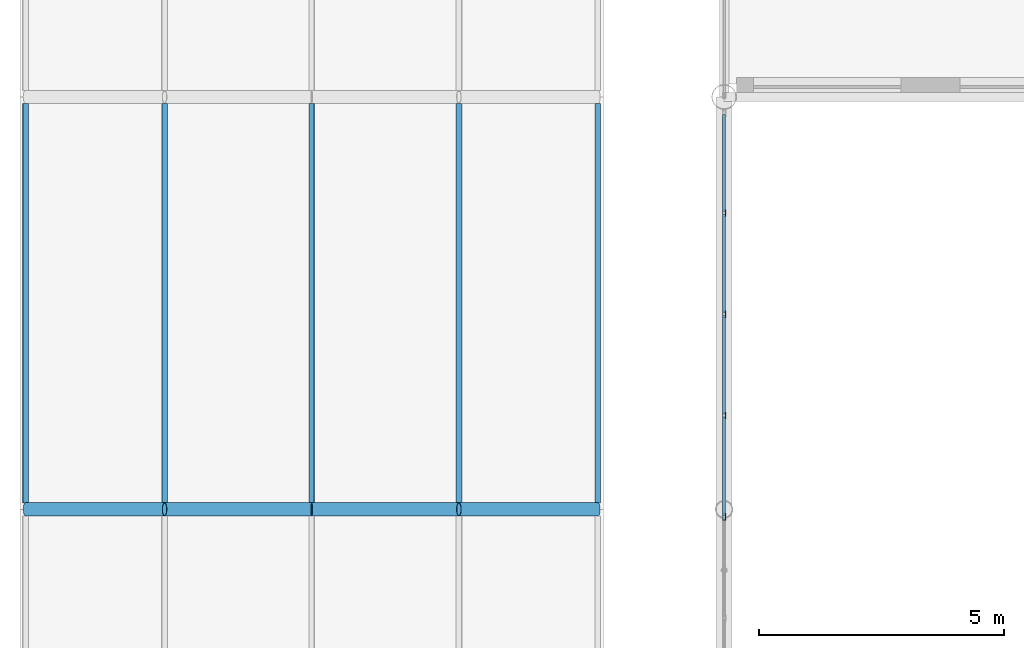
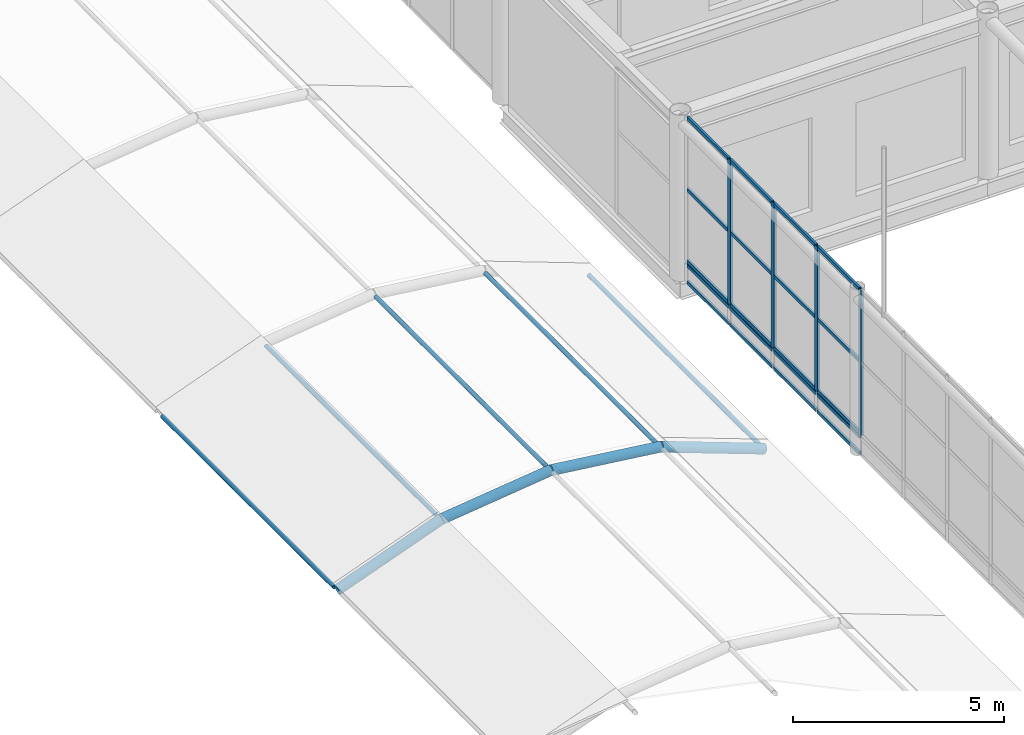
# One storey, part 49 of 167: 33 members, 2 elements without a shape of their own.
"""IFC4 building model written with IfcOpenShell, lengths in metres."""

from ifc_helpers import new_model, si_unit, direction, frame, origin, origin_2d, place, context, subcontext, project, spatial, hollow_rectangle, hollow_circle, extrude, material, material_profile, profile_set, type_object, element, aggregate, save


model = new_model("IFC4")

# Units and contexts
model_context = context("Model", 3, precision=1e-05, world=origin(), true_north=direction((0.0, 1.0)))
body_context = subcontext(model_context, "Body", "Model", "MODEL_VIEW")
ifc_project = project(units=[si_unit("LENGTHUNIT", "METRE"), si_unit("AREAUNIT", "SQUARE_METRE"), si_unit("VOLUMEUNIT", "CUBIC_METRE"), si_unit("PLANEANGLEUNIT", "RADIAN"), si_unit("MASSUNIT", "GRAM", prefix="KILO")], contexts=[model_context])

# Site, building, storey
site_placement = place(None, origin())
site = spatial("IfcSite", under=ifc_project, at=site_placement, CompositionType="ELEMENT")
building_placement = place(site_placement, origin())
building = spatial("IfcBuilding", under=site, at=building_placement, Name="Catenary Quay Ferry Terminal", CompositionType="ELEMENT")
storey_placement = place(building_placement, frame((0.0, 0.0, 6.0)))
storey = spatial("IfcBuildingStorey", under=building, at=storey_placement, Name="L01", CompositionType="ELEMENT", Elevation=6.0)

# Curtain wall, members
ifc_material_1 = material(Name="Aluminium and glass", Category="aluminium")
curtain_wall_type_1 = type_object("IfcCurtainWallType", Name="CWG", PredefinedType="NOTDEFINED", material=ifc_material_1)
curtain_wall_1_placement = place(storey_placement, origin())
curtain_wall_1 = element("IfcCurtainWall", 1, at=curtain_wall_1_placement, inside=storey, type_object=curtain_wall_type_1, Name="Gable arrivals hall curtain wall CW4", PredefinedType="NOTDEFINED")
ifc_material_2 = material(Name="Aluminium", Category="aluminium")
ifc_material_profile_1 = material_profile(ifc_material_2, hollow_rectangle(XDim=0.06005859375, YDim=0.139892578125, WallThickness=0.006103515625, at=origin_2d()), Name="MU2")
ifc_profile_set_1 = profile_set([ifc_material_profile_1], Name="Aluminium")
member_type_1 = type_object("IfcMemberType", Name="MU2", PredefinedType="MULLION", material=ifc_profile_set_1)
member_1_placement = place(storey_placement, frame((25.199951171875, 92.25, 0.60009765625), z_axis=(0.0, 0.0, 1.0), x_axis=(-1.0, 0.0, 0.0)))
member_1 = element("IfcMember", 2, at=member_1_placement, type_object=member_type_1, Name="CW4 mullion 13", PredefinedType="MULLION", context=body_context, shape_type="SweptSolid", body=[
    extrude(hollow_rectangle(XDim=0.06005859375, YDim=0.139892578125, WallThickness=0.006103515625, at=origin_2d()), origin(), (0.0, 0.0, 1.0), 4.199951171875),
])
member_2_placement = place(storey_placement, frame((25.199951171875, 94.3125, 0.60009765625), z_axis=(0.0, 0.0, 1.0), x_axis=(-1.0, 0.0, 0.0)))
member_2 = element("IfcMember", 3, at=member_2_placement, type_object=member_type_1, Name="CW4 mullion 14", PredefinedType="MULLION", context=body_context, shape_type="SweptSolid", body=[
    extrude(hollow_rectangle(XDim=0.06005859375, YDim=0.139892578125, WallThickness=0.006103515625, at=origin_2d()), origin(), (0.0, 0.0, 1.0), 4.199951171875),
])
member_3_placement = place(storey_placement, frame((25.199951171875, 96.375, 0.60009765625), z_axis=(0.0, 0.0, 1.0), x_axis=(-1.0, 0.0, 0.0)))
member_3 = element("IfcMember", 4, at=member_3_placement, type_object=member_type_1, Name="CW4 mullion 15", PredefinedType="MULLION", context=body_context, shape_type="SweptSolid", body=[
    extrude(hollow_rectangle(XDim=0.06005859375, YDim=0.139892578125, WallThickness=0.006103515625, at=origin_2d()), origin(), (0.0, 0.0, 1.0), 4.199951171875),
])
member_4_placement = place(storey_placement, frame((25.199951171875, 98.4375, 0.60009765625), z_axis=(0.0, 0.0, 1.0), x_axis=(-1.0, 0.0, 0.0)))
member_4 = element("IfcMember", 5, at=member_4_placement, type_object=member_type_1, Name="CW4 mullion 16", PredefinedType="MULLION", context=body_context, shape_type="SweptSolid", body=[
    extrude(hollow_rectangle(XDim=0.06005859375, YDim=0.139892578125, WallThickness=0.006103515625, at=origin_2d()), origin(), (0.0, 0.0, 1.0), 4.199951171875),
])

# Members
ifc_material_3 = material(Name="Steel S355", Category="steel")
ifc_material_profile_2 = material_profile(ifc_material_3, hollow_circle(Radius=0.05712890625, WallThickness=0.00634765625, at=origin_2d()), Name="CHS 114.3x6.3")
ifc_profile_set_2 = profile_set([ifc_material_profile_2], Name="Steel S355")
member_type_2 = type_object("IfcMemberType", Name="PU2 CHS 114.3x6.3", PredefinedType="PURLIN", material=ifc_profile_set_2)
for number, where, z_axis, x_axis, name in (
    (6, (10.970947265625, 92.530029296875, 0.98388671875), (0.0, 1.0, 0.0), (-1.0, 0.0, 0.0), "Purlin PU-FC-04-01"),
    (7, (13.802978515625, 92.530029296875, 2.031005859375), (0.0, 1.0, 0.0), (-1.0, 0.0, 0.0), "Purlin PU-FC-04-02"),
    (8, (16.800048828125, 92.530029296875, 2.39990234375), (0.0, 1.0, 0.0), (-1.0, 0.0, 0.0), "Purlin PU-FC-04-03"),
    (9, (19.797119140625, 92.530029296875, 2.031005859375), (0.0, 1.0, 0.0), (-1.0, 0.0, 0.0), "Purlin PU-FC-04-04"),
    (10, (22.62890625, 92.530029296875, 0.98388671875), (0.0, 1.0, 0.0), (-1.0, 0.0, 0.0), "Purlin PU-FC-04-05"),
):
    element("IfcMember", number, at=place(storey_placement, frame(where, z_axis=z_axis, x_axis=x_axis)), inside=storey, type_object=member_type_2, Name=name, PredefinedType="PURLIN", context=body_context, shape_type="SweptSolid", body=[
        extrude(hollow_circle(Radius=0.05712890625, WallThickness=0.00634765625, at=origin_2d()), origin(), (0.0, 0.0, 1.0), 8.139892578125),
    ])

# Member
ifc_material_4 = material(Name="Aluminium", Category="aluminium")
ifc_material_profile_3 = material_profile(ifc_material_4, hollow_rectangle(XDim=0.06005859375, YDim=0.10009765625, WallThickness=0.0048828125, at=origin_2d()), Name="TR2")
ifc_profile_set_3 = profile_set([ifc_material_profile_3], Name="Aluminium")
member_type_3 = type_object("IfcMemberType", Name="TR2", PredefinedType="USERDEFINED", material=ifc_profile_set_3)
member_5_placement = place(storey_placement, frame((25.199951171875, 92.280029296875, 0.6298828125), z_axis=(0.0, 1.0, 0.0), x_axis=(-1.0, 0.0, 0.0)))
member_5 = element("IfcMember", 11, at=member_5_placement, type_object=member_type_3, Name="CW4 transom 13.1", ObjectType="TRANSOM", PredefinedType="USERDEFINED", context=body_context, shape_type="SweptSolid", body=[
    extrude(hollow_rectangle(XDim=0.06005859375, YDim=0.10009765625, WallThickness=0.0048828125, at=origin_2d()), origin(), (0.0, 0.0, 1.0), 2.00244140625),
])

member_6_placement = place(storey_placement, frame((25.199951171875, 92.280029296875, 2.699951171875), z_axis=(0.0, 1.0, 0.0), x_axis=(-1.0, 0.0, 0.0)))
member_6 = element("IfcMember", 12, at=member_6_placement, type_object=member_type_3, Name="CW4 transom 13.2", ObjectType="TRANSOM", PredefinedType="USERDEFINED", context=body_context, shape_type="SweptSolid", body=[
    extrude(hollow_rectangle(XDim=0.06005859375, YDim=0.10009765625, WallThickness=0.0048828125, at=origin_2d()), origin(), (0.0, 0.0, 1.0), 2.00244140625),
])

member_7_placement = place(storey_placement, frame((25.199951171875, 92.280029296875, 4.77001953125), z_axis=(0.0, 1.0, 0.0), x_axis=(-1.0, 0.0, 0.0)))
member_7 = element("IfcMember", 13, at=member_7_placement, type_object=member_type_3, Name="CW4 transom 13.3", ObjectType="TRANSOM", PredefinedType="USERDEFINED", context=body_context, shape_type="SweptSolid", body=[
    extrude(hollow_rectangle(XDim=0.06005859375, YDim=0.10009765625, WallThickness=0.0048828125, at=origin_2d()), origin(), (0.0, 0.0, 1.0), 2.00244140625),
])

member_8_placement = place(storey_placement, frame((25.199951171875, 94.342529296875, 0.6298828125), z_axis=(0.0, 1.0, 0.0), x_axis=(-1.0, 0.0, 0.0)))
member_8 = element("IfcMember", 14, at=member_8_placement, type_object=member_type_3, Name="CW4 transom 14.1", ObjectType="TRANSOM", PredefinedType="USERDEFINED", context=body_context, shape_type="SweptSolid", body=[
    extrude(hollow_rectangle(XDim=0.06005859375, YDim=0.10009765625, WallThickness=0.0048828125, at=origin_2d()), origin(), (0.0, 0.0, 1.0), 2.00244140625),
])

member_9_placement = place(storey_placement, frame((25.199951171875, 94.342529296875, 2.699951171875), z_axis=(0.0, 1.0, 0.0), x_axis=(-1.0, 0.0, 0.0)))
member_9 = element("IfcMember", 15, at=member_9_placement, type_object=member_type_3, Name="CW4 transom 14.2", ObjectType="TRANSOM", PredefinedType="USERDEFINED", context=body_context, shape_type="SweptSolid", body=[
    extrude(hollow_rectangle(XDim=0.06005859375, YDim=0.10009765625, WallThickness=0.0048828125, at=origin_2d()), origin(), (0.0, 0.0, 1.0), 2.00244140625),
])

member_10_placement = place(storey_placement, frame((25.199951171875, 94.342529296875, 4.77001953125), z_axis=(0.0, 1.0, 0.0), x_axis=(-1.0, 0.0, 0.0)))
member_10 = element("IfcMember", 16, at=member_10_placement, type_object=member_type_3, Name="CW4 transom 14.3", ObjectType="TRANSOM", PredefinedType="USERDEFINED", context=body_context, shape_type="SweptSolid", body=[
    extrude(hollow_rectangle(XDim=0.06005859375, YDim=0.10009765625, WallThickness=0.0048828125, at=origin_2d()), origin(), (0.0, 0.0, 1.0), 2.00244140625),
])

member_11_placement = place(storey_placement, frame((25.199951171875, 96.405029296875, 0.6298828125), z_axis=(0.0, 1.0, 0.0), x_axis=(-1.0, 0.0, 0.0)))
member_11 = element("IfcMember", 17, at=member_11_placement, type_object=member_type_3, Name="CW4 transom 15.1", ObjectType="TRANSOM", PredefinedType="USERDEFINED", context=body_context, shape_type="SweptSolid", body=[
    extrude(hollow_rectangle(XDim=0.06005859375, YDim=0.10009765625, WallThickness=0.0048828125, at=origin_2d()), origin(), (0.0, 0.0, 1.0), 2.00244140625),
])

member_12_placement = place(storey_placement, frame((25.199951171875, 96.405029296875, 2.699951171875), z_axis=(0.0, 1.0, 0.0), x_axis=(-1.0, 0.0, 0.0)))
member_12 = element("IfcMember", 18, at=member_12_placement, type_object=member_type_3, Name="CW4 transom 15.2", ObjectType="TRANSOM", PredefinedType="USERDEFINED", context=body_context, shape_type="SweptSolid", body=[
    extrude(hollow_rectangle(XDim=0.06005859375, YDim=0.10009765625, WallThickness=0.0048828125, at=origin_2d()), origin(), (0.0, 0.0, 1.0), 2.00244140625),
])

member_13_placement = place(storey_placement, frame((25.199951171875, 96.405029296875, 4.77001953125), z_axis=(0.0, 1.0, 0.0), x_axis=(-1.0, 0.0, 0.0)))
member_13 = element("IfcMember", 19, at=member_13_placement, type_object=member_type_3, Name="CW4 transom 15.3", ObjectType="TRANSOM", PredefinedType="USERDEFINED", context=body_context, shape_type="SweptSolid", body=[
    extrude(hollow_rectangle(XDim=0.06005859375, YDim=0.10009765625, WallThickness=0.0048828125, at=origin_2d()), origin(), (0.0, 0.0, 1.0), 2.00244140625),
])

member_14_placement = place(storey_placement, frame((25.199951171875, 98.467529296875, 0.6298828125), z_axis=(0.0, 1.0, 0.0), x_axis=(-1.0, 0.0, 0.0)))
member_14 = element("IfcMember", 20, at=member_14_placement, type_object=member_type_3, Name="CW4 transom 16.1", ObjectType="TRANSOM", PredefinedType="USERDEFINED", context=body_context, shape_type="SweptSolid", body=[
    extrude(hollow_rectangle(XDim=0.06005859375, YDim=0.10009765625, WallThickness=0.0048828125, at=origin_2d()), origin(), (0.0, 0.0, 1.0), 1.972412109375),
])

member_15_placement = place(storey_placement, frame((25.199951171875, 98.467529296875, 2.699951171875), z_axis=(0.0, 1.0, 0.0), x_axis=(-1.0, 0.0, 0.0)))
member_15 = element("IfcMember", 21, at=member_15_placement, type_object=member_type_3, Name="CW4 transom 16.2", ObjectType="TRANSOM", PredefinedType="USERDEFINED", context=body_context, shape_type="SweptSolid", body=[
    extrude(hollow_rectangle(XDim=0.06005859375, YDim=0.10009765625, WallThickness=0.0048828125, at=origin_2d()), origin(), (0.0, 0.0, 1.0), 1.972412109375),
])

member_16_placement = place(storey_placement, frame((25.199951171875, 98.467529296875, 4.77001953125), z_axis=(0.0, 1.0, 0.0), x_axis=(-1.0, 0.0, 0.0)))
member_16 = element("IfcMember", 22, at=member_16_placement, type_object=member_type_3, Name="CW4 transom 16.3", ObjectType="TRANSOM", PredefinedType="USERDEFINED", context=body_context, shape_type="SweptSolid", body=[
    extrude(hollow_rectangle(XDim=0.06005859375, YDim=0.10009765625, WallThickness=0.0048828125, at=origin_2d()), origin(), (0.0, 0.0, 1.0), 1.972412109375),
])

aggregate(curtain_wall_1, [member_1, member_2, member_3, member_4, member_5, member_6, member_7, member_8, member_9, member_10, member_11, member_12, member_13, member_14, member_15, member_16])

# Curtain wall, members
ifc_material_5 = material(Name="Aluminium and glass", Category="aluminium")
curtain_wall_type_2 = type_object("IfcCurtainWallType", Name="CWQ", PredefinedType="NOTDEFINED", material=ifc_material_5)
curtain_wall_2_placement = place(storey_placement, origin())
curtain_wall_2 = element("IfcCurtainWall", 23, at=curtain_wall_2_placement, inside=storey, type_object=curtain_wall_type_2, Name="Gable arrivals hall base curtain wall CW173", PredefinedType="NOTDEFINED")
member_17_placement = place(storey_placement, frame((25.199951171875, 92.280029296875, 0.030029296875), z_axis=(0.0, 1.0, 0.0), x_axis=(-1.0, 0.0, 0.0)))
member_17 = element("IfcMember", 24, at=member_17_placement, type_object=member_type_3, Name="CW173 transom 13.1", ObjectType="TRANSOM", PredefinedType="USERDEFINED", context=body_context, shape_type="SweptSolid", body=[
    extrude(hollow_rectangle(XDim=0.06005859375, YDim=0.10009765625, WallThickness=0.0048828125, at=origin_2d()), origin(), (0.0, 0.0, 1.0), 2.00244140625),
])
member_18_placement = place(storey_placement, frame((25.199951171875, 92.280029296875, 0.510009765625), z_axis=(0.0, 1.0, 0.0), x_axis=(-1.0, 0.0, 0.0)))
member_18 = element("IfcMember", 25, at=member_18_placement, type_object=member_type_3, Name="CW173 transom 13.2", ObjectType="TRANSOM", PredefinedType="USERDEFINED", context=body_context, shape_type="SweptSolid", body=[
    extrude(hollow_rectangle(XDim=0.06005859375, YDim=0.10009765625, WallThickness=0.0048828125, at=origin_2d()), origin(), (0.0, 0.0, 1.0), 2.00244140625),
])
member_19_placement = place(storey_placement, frame((25.199951171875, 94.342529296875, 0.030029296875), z_axis=(0.0, 1.0, 0.0), x_axis=(-1.0, 0.0, 0.0)))
member_19 = element("IfcMember", 26, at=member_19_placement, type_object=member_type_3, Name="CW173 transom 14.1", ObjectType="TRANSOM", PredefinedType="USERDEFINED", context=body_context, shape_type="SweptSolid", body=[
    extrude(hollow_rectangle(XDim=0.06005859375, YDim=0.10009765625, WallThickness=0.0048828125, at=origin_2d()), origin(), (0.0, 0.0, 1.0), 2.00244140625),
])
member_20_placement = place(storey_placement, frame((25.199951171875, 94.342529296875, 0.510009765625), z_axis=(0.0, 1.0, 0.0), x_axis=(-1.0, 0.0, 0.0)))
member_20 = element("IfcMember", 27, at=member_20_placement, type_object=member_type_3, Name="CW173 transom 14.2", ObjectType="TRANSOM", PredefinedType="USERDEFINED", context=body_context, shape_type="SweptSolid", body=[
    extrude(hollow_rectangle(XDim=0.06005859375, YDim=0.10009765625, WallThickness=0.0048828125, at=origin_2d()), origin(), (0.0, 0.0, 1.0), 2.00244140625),
])
member_21_placement = place(storey_placement, frame((25.199951171875, 96.405029296875, 0.030029296875), z_axis=(0.0, 1.0, 0.0), x_axis=(-1.0, 0.0, 0.0)))
member_21 = element("IfcMember", 28, at=member_21_placement, type_object=member_type_3, Name="CW173 transom 15.1", ObjectType="TRANSOM", PredefinedType="USERDEFINED", context=body_context, shape_type="SweptSolid", body=[
    extrude(hollow_rectangle(XDim=0.06005859375, YDim=0.10009765625, WallThickness=0.0048828125, at=origin_2d()), origin(), (0.0, 0.0, 1.0), 2.00244140625),
])
member_22_placement = place(storey_placement, frame((25.199951171875, 96.405029296875, 0.510009765625), z_axis=(0.0, 1.0, 0.0), x_axis=(-1.0, 0.0, 0.0)))
member_22 = element("IfcMember", 29, at=member_22_placement, type_object=member_type_3, Name="CW173 transom 15.2", ObjectType="TRANSOM", PredefinedType="USERDEFINED", context=body_context, shape_type="SweptSolid", body=[
    extrude(hollow_rectangle(XDim=0.06005859375, YDim=0.10009765625, WallThickness=0.0048828125, at=origin_2d()), origin(), (0.0, 0.0, 1.0), 2.00244140625),
])
member_23_placement = place(storey_placement, frame((25.199951171875, 98.467529296875, 0.030029296875), z_axis=(0.0, 1.0, 0.0), x_axis=(-1.0, 0.0, 0.0)))
member_23 = element("IfcMember", 30, at=member_23_placement, type_object=member_type_3, Name="CW173 transom 16.1", ObjectType="TRANSOM", PredefinedType="USERDEFINED", context=body_context, shape_type="SweptSolid", body=[
    extrude(hollow_rectangle(XDim=0.06005859375, YDim=0.10009765625, WallThickness=0.0048828125, at=origin_2d()), origin(), (0.0, 0.0, 1.0), 1.972412109375),
])
member_24_placement = place(storey_placement, frame((25.199951171875, 98.467529296875, 0.510009765625), z_axis=(0.0, 1.0, 0.0), x_axis=(-1.0, 0.0, 0.0)))
member_24 = element("IfcMember", 31, at=member_24_placement, type_object=member_type_3, Name="CW173 transom 16.2", ObjectType="TRANSOM", PredefinedType="USERDEFINED", context=body_context, shape_type="SweptSolid", body=[
    extrude(hollow_rectangle(XDim=0.06005859375, YDim=0.10009765625, WallThickness=0.0048828125, at=origin_2d()), origin(), (0.0, 0.0, 1.0), 1.972412109375),
])
aggregate(curtain_wall_2, [member_17, member_18, member_19, member_20, member_21, member_22, member_23, member_24])

# Members
ifc_material_6 = material(Name="Steel S355", Category="steel")
ifc_material_profile_4 = material_profile(ifc_material_6, hollow_circle(Radius=0.136474609375, WallThickness=0.012451171875, at=origin_2d()), Name="CHS 273x12.5")
ifc_profile_set_4 = profile_set([ifc_material_profile_4], Name="Steel S355")
member_type_4 = type_object("IfcMemberType", Name="VR2 CHS 273x12.5", PredefinedType="RAFTER", material=ifc_profile_set_4)
member_25_placement = place(storey_placement, frame((10.970947265625, 92.39990234375, 0.98388671875), z_axis=(0.937940762231, 0.0, 0.346795511139), x_axis=(0.0, 1.0, 0.0)))
element("IfcMember", 32, at=member_25_placement, inside=storey, type_object=member_type_4, Name="rib FC-04-02", PredefinedType="RAFTER", context=body_context, shape_type="SweptSolid", body=[
    extrude(hollow_circle(Radius=0.136474609375, WallThickness=0.012451171875, at=origin_2d()), origin(), (0.0, 0.0, 1.0), 3.01953125),
])
for number, where, z_axis, x_axis, name in (
    (33, (13.802978515625, 92.39990234375, 2.031005859375), (0.992509955251, 0.0, 0.122163778298), (0.0, 1.0, 0.0), "rib FC-04-03"),
    (34, (16.800048828125, 92.39990234375, 2.39990234375), (0.992509955251, 0.0, -0.122163778298), (0.0, 1.0, 0.0), "rib FC-04-04"),
):
    element("IfcMember", number, at=place(storey_placement, frame(where, z_axis=z_axis, x_axis=x_axis)), inside=storey, type_object=member_type_4, Name=name, PredefinedType="RAFTER", context=body_context, shape_type="SweptSolid", body=[
        extrude(hollow_circle(Radius=0.136474609375, WallThickness=0.012451171875, at=origin_2d()), origin(), (0.0, 0.0, 1.0), 3.019775390625),
    ])
member_26_placement = place(storey_placement, frame((19.797119140625, 92.39990234375, 2.031005859375), z_axis=(0.93793103669, 0.0, -0.346821813636), x_axis=(0.0, 1.0, 0.0)))
element("IfcMember", 35, at=member_26_placement, inside=storey, type_object=member_type_4, Name="rib FC-04-05", PredefinedType="RAFTER", context=body_context, shape_type="SweptSolid", body=[
    extrude(hollow_circle(Radius=0.136474609375, WallThickness=0.012451171875, at=origin_2d()), origin(), (0.0, 0.0, 1.0), 3.019287109375),
])

save(model, "model.ifc")
